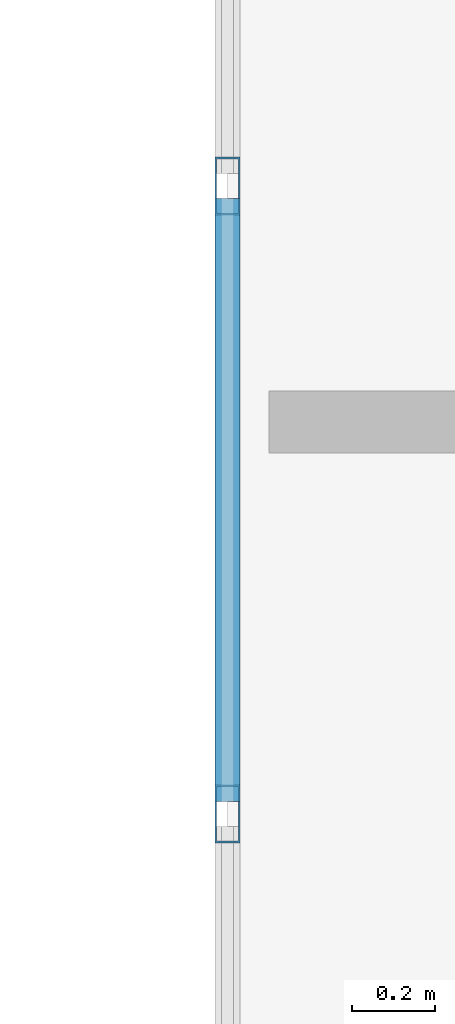
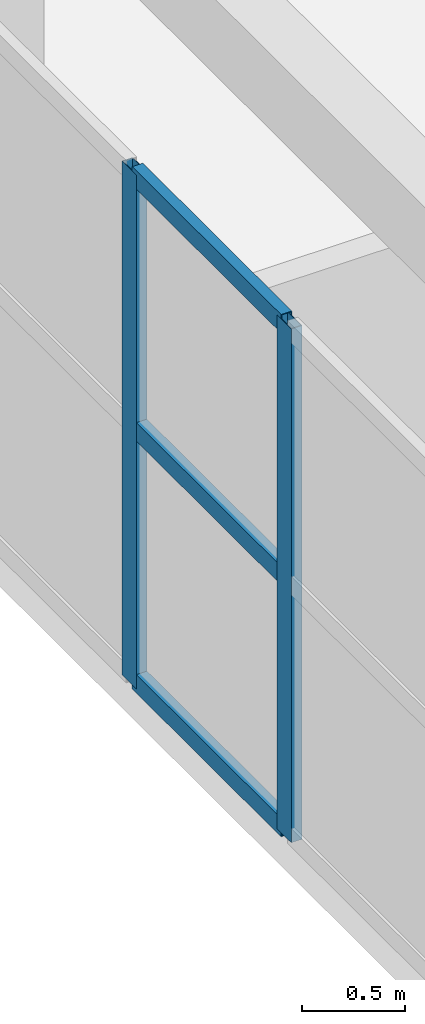
# One storey, part 41 of 200: 5 members, 1 element without a shape of its own.
"""IFC4 building model written with IfcOpenShell, lengths in metres."""

from ifc_helpers import new_model, si_unit, direction, frame, origin, origin_2d, place, context, subcontext, project, spatial, hollow_rectangle, extrude, material, layer, layer_set, material_profile, profile_set, type_object, element, aggregate, save


model = new_model("IFC4")

# Units and contexts
model_context = context("Model", 3, precision=1e-05, world=origin(), true_north=direction((0.0, 1.0)))
body_context = subcontext(model_context, "Body", "Model", "MODEL_VIEW")
ifc_project = project(units=[si_unit("LENGTHUNIT", "METRE"), si_unit("AREAUNIT", "SQUARE_METRE"), si_unit("VOLUMEUNIT", "CUBIC_METRE"), si_unit("PLANEANGLEUNIT", "RADIAN"), si_unit("MASSUNIT", "GRAM", prefix="KILO")], contexts=[model_context])

# Site, building, storey
site_placement = place(None, origin())
site = spatial("IfcSite", under=ifc_project, at=site_placement, CompositionType="ELEMENT")
building_placement = place(site_placement, origin())
building = spatial("IfcBuilding", under=site, at=building_placement, Name="Trelvath General Hospital", CompositionType="ELEMENT")
storey_placement = place(building_placement, frame((0.0, 0.0, 4.800048828125)))
storey = spatial("IfcBuildingStorey", under=building, at=storey_placement, Name="L01", CompositionType="ELEMENT", Elevation=4.800048828125)

# Curtain wall, members
ifc_material_1 = material(Name="Anodised aluminium and low-E glass", Category="aluminium")
ifc_layer = layer(ifc_material_1, 0.14990234375)
ifc_layer_set = layer_set([ifc_layer], Name="Anodised aluminium and low-E glass")
curtain_wall_type = type_object("IfcCurtainWallType", Name="CW CrystalCube 1664 306 15", PredefinedType="USERDEFINED", material=ifc_layer_set)
curtain_wall_placement = place(storey_placement, origin())
curtain_wall = element("IfcCurtainWall", 1, at=curtain_wall_placement, inside=storey, type_object=curtain_wall_type, Name="Crystal Cube Curtain Wall CUBE-W-T0 W4 L01", ObjectType="Unitised Glazed Curtain Wall", PredefinedType="USERDEFINED")
ifc_material_2 = material(Name="Anodised aluminium", Category="aluminium")
ifc_material_profile_1 = material_profile(ifc_material_2, hollow_rectangle(XDim=0.06005859375, YDim=0.139892578125, WallThickness=0.00390625, at=origin_2d()), Name="RHS60x140x4")
ifc_profile_set_1 = profile_set([ifc_material_profile_1], Name="Anodised aluminium")
member_type_1 = type_object("IfcMemberType", Name="CurtainMullion 60x140", PredefinedType="MULLION", material=ifc_profile_set_1)
member_1_placement = place(storey_placement, frame((46.800048828125, 53.50537109375, 0.0), z_axis=(0.0, 0.0, 1.0), x_axis=(-1.0, 0.0, 0.0)))
member_1 = element("IfcMember", 2, at=member_1_placement, type_object=member_type_1, Name="CW-143 mullion 3", PredefinedType="MULLION", context=body_context, shape_type="SweptSolid", body=[
    extrude(hollow_rectangle(XDim=0.06005859375, YDim=0.139892578125, WallThickness=0.00390625, at=origin_2d()), origin(), (0.0, 0.0, 1.0), 3.06005859375),
])
member_2_placement = place(storey_placement, frame((46.800048828125, 55.01806640625, 0.0), z_axis=(0.0, 0.0, 1.0), x_axis=(-1.0, 0.0, 0.0)))
member_2 = element("IfcMember", 3, at=member_2_placement, type_object=member_type_1, Name="CW-143 mullion 4", PredefinedType="MULLION", context=body_context, shape_type="SweptSolid", body=[
    extrude(hollow_rectangle(XDim=0.06005859375, YDim=0.139892578125, WallThickness=0.00390625, at=origin_2d()), origin(), (0.0, 0.0, 1.0), 3.06005859375),
])
ifc_material_3 = material(Name="Anodised aluminium", Category="aluminium")
ifc_material_profile_2 = material_profile(ifc_material_3, hollow_rectangle(XDim=0.06005859375, YDim=0.110107421875, WallThickness=0.00390625, at=origin_2d()), Name="RHS60x110x4")
ifc_profile_set_2 = profile_set([ifc_material_profile_2], Name="Anodised aluminium")
member_type_2 = type_object("IfcMemberType", Name="CurtainTransom 60x110", PredefinedType="USERDEFINED", material=ifc_profile_set_2)
member_3_placement = place(storey_placement, frame((46.800048828125, 53.535400390625, 0.030029296875), z_axis=(0.0, 1.0, 0.0), x_axis=(-1.0, 0.0, 0.0)))
member_3 = element("IfcMember", 4, at=member_3_placement, type_object=member_type_2, Name="CW-143 transom 3.1", ObjectType="TRANSOM", PredefinedType="USERDEFINED", context=body_context, shape_type="SweptSolid", body=[
    extrude(hollow_rectangle(XDim=0.06005859375, YDim=0.110107421875, WallThickness=0.00390625, at=origin_2d()), origin(), (0.0, 0.0, 1.0), 1.452880859375),
])
member_4_placement = place(storey_placement, frame((46.800048828125, 53.535400390625, 1.530029296875), z_axis=(0.0, 1.0, 0.0), x_axis=(-1.0, 0.0, 0.0)))
member_4 = element("IfcMember", 5, at=member_4_placement, type_object=member_type_2, Name="CW-143 transom 3.2", ObjectType="TRANSOM", PredefinedType="USERDEFINED", context=body_context, shape_type="SweptSolid", body=[
    extrude(hollow_rectangle(XDim=0.06005859375, YDim=0.110107421875, WallThickness=0.00390625, at=origin_2d()), origin(), (0.0, 0.0, 1.0), 1.452880859375),
])
member_5_placement = place(storey_placement, frame((46.800048828125, 53.535400390625, 3.030029296875), z_axis=(0.0, 1.0, 0.0), x_axis=(-1.0, 0.0, 0.0)))
member_5 = element("IfcMember", 6, at=member_5_placement, type_object=member_type_2, Name="CW-143 transom 3.3", ObjectType="TRANSOM", PredefinedType="USERDEFINED", context=body_context, shape_type="SweptSolid", body=[
    extrude(hollow_rectangle(XDim=0.06005859375, YDim=0.110107421875, WallThickness=0.00390625, at=origin_2d()), origin(), (0.0, 0.0, 1.0), 1.452880859375),
])
aggregate(curtain_wall, [member_1, member_2, member_3, member_4, member_5])

save(model, "model.ifc")
